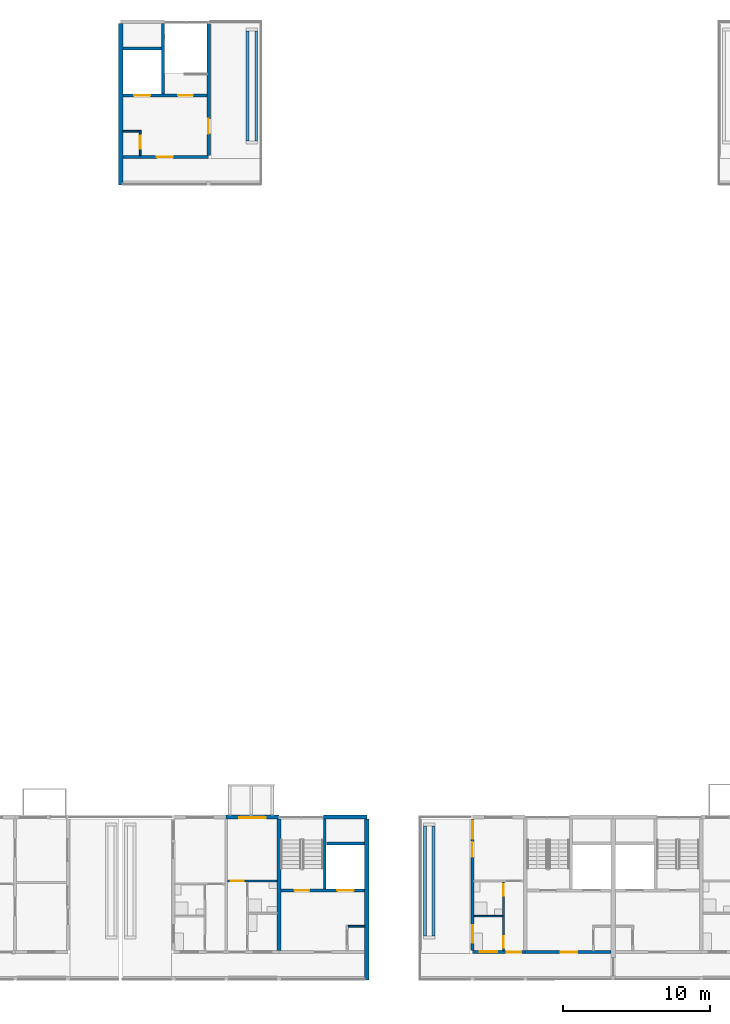
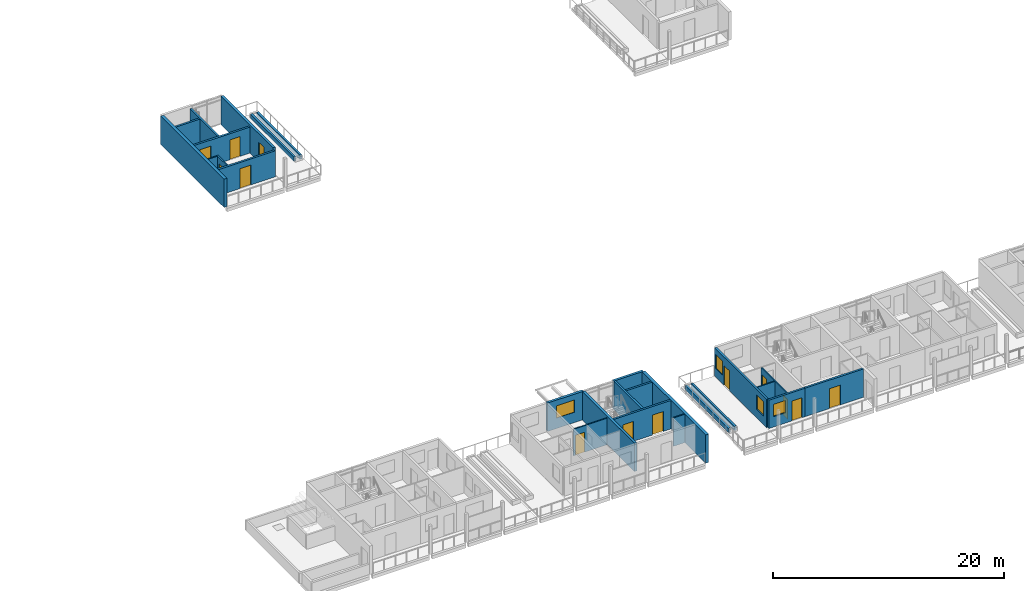
# One storey, part 33 of 55: 26 walls, 13 doors, 4 windows, 17 openings.
"""IFC4 building model written with IfcOpenShell, lengths in metres."""

from ifc_helpers import new_model, si_unit, direction, frame, frame_2d, origin, place, context, subcontext, project, spatial, rectangle, extrude, material, layer, layer_set, type_object, element, fill, save


model = new_model("IFC4")

# Units and contexts
model_context = context("Model", 3, precision=1e-05, world=origin(), true_north=direction((0.0, 1.0)))
body_context = subcontext(model_context, "Body", "Model", "MODEL_VIEW")
ifc_project = project(units=[si_unit("LENGTHUNIT", "METRE"), si_unit("AREAUNIT", "SQUARE_METRE"), si_unit("VOLUMEUNIT", "CUBIC_METRE"), si_unit("PLANEANGLEUNIT", "RADIAN"), si_unit("MASSUNIT", "GRAM", prefix="KILO")], contexts=[model_context])

# Site, building, storey
site_placement = place(None, origin())
site = spatial("IfcSite", under=ifc_project, at=site_placement, CompositionType="ELEMENT")
building_placement = place(site_placement, origin())
building = spatial("IfcBuilding", under=site, at=building_placement, Name="Ridgestep Commons", CompositionType="ELEMENT")
storey_placement = place(building_placement, frame((0.0, 0.0, 36.0)))
storey = spatial("IfcBuildingStorey", under=building, at=storey_placement, Name="L12", CompositionType="ELEMENT", Elevation=36.0)

# Wall
ifc_material_1 = material(Name="Concrete C30/37", Category="concrete")
ifc_layer_1 = layer(ifc_material_1, 0.25)
ifc_layer_set_1 = layer_set([ifc_layer_1], Name="Core cross wall 250")
wall_type_1 = type_object("IfcWallType", Name="Core cross wall 250", PredefinedType="SHEAR", material=ifc_layer_set_1)
wall_1_placement = place(storey_placement, frame((191.199951171875, 13.75, 0.0), z_axis=(0.0, 0.0, 1.0), x_axis=(0.0, 1.0, 0.0)))
element("IfcWall", 1, at=wall_1_placement, inside=storey, type_object=wall_type_1, Name="Cross wall D-12-1912", PredefinedType="SHEAR", context=body_context, shape_type="SweptSolid", body=[
    extrude(rectangle(XDim=9.0, YDim=0.25, at=frame_2d((4.5, 0.0))), origin(), (0.0, 0.0, 1.0), 3.0),
])

# Wall, opening, door
ifc_material_2 = material(Name="Concrete C30/37", Category="concrete")
ifc_layer_2 = layer(ifc_material_2, 0.199951171875)
ifc_layer_set_2 = layer_set([ifc_layer_2], Name="Core south wall 200")
wall_type_2 = type_object("IfcWallType", Name="Core south wall 200", PredefinedType="SHEAR", material=ifc_layer_set_2)
wall_2_placement = place(storey_placement, frame((180.550048828125, 67.89990234375, 0.0), z_axis=(0.0, 0.0, 1.0), x_axis=(1.0, 0.0, 0.0)))
wall_2 = element("IfcWall", 2, at=wall_2_placement, inside=storey, type_object=wall_type_2, Name="Core south wall C3C L12", PredefinedType="SHEAR", context=body_context, shape_type="SweptSolid", body=[
    extrude(rectangle(XDim=5.849853515625, YDim=0.199951171875, at=frame_2d((2.9248046875, 0.0))), origin(), (0.0, 0.0, 1.0), 2.75),
])
opening_1_placement = place(wall_2_placement, frame((2.3125, 0.0, 0.0)))
opening_1 = element("IfcOpeningElement", 3, at=opening_1_placement, cuts=wall_2, Name="Opening C3C/12/1", PredefinedType="OPENING", context=body_context, shape_type="SweptSolid", body=[
    extrude(rectangle(XDim=1.10009765625, YDim=2.10009765625, at=frame_2d((0.550048828125, 1.050048828125))), frame((0.0, 0.10986328125, 0.0), z_axis=(0.0, -1.0, 0.0), x_axis=(1.0, 0.0, 0.0)), (0.0, 0.0, 1.0), 0.219970703125),
])
ifc_material_3 = material(Name="Steel fire door", Category="steel")
door_type_1 = type_object("IfcDoorType", Name="Lobby door 1100 x 2100 FD60", OperationType="NOTDEFINED", PredefinedType="DOOR", material=ifc_material_3)
door_1_placement = place(opening_1_placement, origin())
door_1 = element("IfcDoor", 4, at=door_1_placement, inside=storey, type_object=door_type_1, Name="Lobby door C3C/12/1", OperationType="SINGLE_SWING_LEFT", OverallHeight=2.10009765625, OverallWidth=1.10009765625, PredefinedType="DOOR", context=body_context, shape_type="SweptSolid", body=[
    extrude(rectangle(XDim=1.10009765625, YDim=2.10009765625, at=frame_2d((0.550048828125, 1.050048828125))), frame((0.0, 0.02490234375, 0.0), z_axis=(0.0, -1.0, 0.0), x_axis=(1.0, 0.0, 0.0)), (0.0, 0.0, 1.0), 0.050048828125),
])
fill(opening_1, door_1)

wall_3_placement = place(storey_placement, frame((208.0, 13.64990234375, 0.0), z_axis=(0.0, 0.0, 1.0), x_axis=(1.0, 0.0, 0.0)))
wall_3 = element("IfcWall", 5, at=wall_3_placement, inside=storey, type_object=wall_type_2, Name="Core south wall D4C L12", PredefinedType="SHEAR", context=body_context, shape_type="SweptSolid", body=[
    extrude(rectangle(XDim=5.85009765625, YDim=0.199951171875, at=frame_2d((2.925048828125, 0.0))), origin(), (0.0, 0.0, 1.0), 3.0),
])
opening_2_placement = place(wall_3_placement, frame((2.4375, 0.0, 0.0)))
opening_2 = element("IfcOpeningElement", 6, at=opening_2_placement, cuts=wall_3, Name="Opening D4C/12/1", PredefinedType="OPENING", context=body_context, shape_type="SweptSolid", body=[
    extrude(rectangle(XDim=1.10009765625, YDim=2.10009765625, at=frame_2d((0.550048828125, 1.050048828125))), frame((0.0, 0.10986328125, 0.0), z_axis=(0.0, -1.0, 0.0), x_axis=(1.0, 0.0, 0.0)), (0.0, 0.0, 1.0), 0.219970703125),
])
door_2_placement = place(opening_2_placement, origin())
door_2 = element("IfcDoor", 7, at=door_2_placement, inside=storey, type_object=door_type_1, Name="Lobby door D4C/12/1", OperationType="SINGLE_SWING_LEFT", OverallHeight=2.10009765625, OverallWidth=1.10009765625, PredefinedType="DOOR", context=body_context, shape_type="SweptSolid", body=[
    extrude(rectangle(XDim=1.10009765625, YDim=2.10009765625, at=frame_2d((0.550048828125, 1.050048828125))), frame((0.0, 0.02490234375, 0.0), z_axis=(0.0, -1.0, 0.0), x_axis=(1.0, 0.0, 0.0)), (0.0, 0.0, 1.0), 0.050048828125),
])
fill(opening_2, door_2)

ifc_material_4 = material(Name="Concrete C30/37", Category="concrete")
ifc_layer_3 = layer(ifc_material_4, 0.1201171875)
ifc_layer_set_3 = layer_set([ifc_layer_3], Name="Core wall 120")
wall_type_3 = type_object("IfcWallType", Name="Core wall 120", PredefinedType="SHEAR", material=ifc_layer_set_3)
wall_4_placement = place(storey_placement, frame((181.739990234375, 68.0, 0.0), z_axis=(0.0, 0.0, 1.0), x_axis=(0.0, 1.0, 0.0)))
wall_4 = element("IfcWall", 8, at=wall_4_placement, inside=storey, type_object=wall_type_3, Name="Core riser w wall C3C L12", PredefinedType="SHEAR", context=body_context, shape_type="SweptSolid", body=[
    extrude(rectangle(XDim=1.719970703125, YDim=0.1201171875, at=frame_2d((0.85986328125, 0.0))), origin(), (0.0, 0.0, 1.0), 2.75),
])
opening_3_placement = place(wall_4_placement, frame((0.449951171875, 0.0, 0.0)))
opening_3 = element("IfcOpeningElement", 9, at=opening_3_placement, cuts=wall_4, Name="Opening C3C/12/4", PredefinedType="OPENING", context=body_context, shape_type="SweptSolid", body=[
    extrude(rectangle(XDim=0.89990234375, YDim=2.10009765625, at=frame_2d((0.449951171875, 1.050048828125))), frame((0.0, 0.070068359375, 0.0), z_axis=(0.0, -1.0, 0.0), x_axis=(1.0, 0.0, 0.0)), (0.0, 0.0, 1.0), 0.14013671875),
])
ifc_material_5 = material(Name="Steel fire door", Category="steel")
door_type_2 = type_object("IfcDoorType", Name="Riser door 900 x 2100 FD60", OperationType="NOTDEFINED", PredefinedType="DOOR", material=ifc_material_5)
door_3_placement = place(opening_3_placement, origin())
door_3 = element("IfcDoor", 10, at=door_3_placement, inside=storey, type_object=door_type_2, Name="Riser door C3C/12/4", OperationType="SINGLE_SWING_RIGHT", OverallHeight=2.10009765625, OverallWidth=0.89990234375, PredefinedType="DOOR", context=body_context, shape_type="SweptSolid", body=[
    extrude(rectangle(XDim=0.89990234375, YDim=2.10009765625, at=frame_2d((0.449951171875, 1.050048828125))), frame((0.0, 0.02490234375, 0.0), z_axis=(0.0, -1.0, 0.0), x_axis=(1.0, 0.0, 0.0)), (0.0, 0.0, 1.0), 0.050048828125),
])
fill(opening_3, door_3)

# Walls
wall_5_placement = place(storey_placement, frame((180.550048828125, 69.659912109375, 0.0), z_axis=(0.0, 0.0, 1.0), x_axis=(1.0, 0.0, 0.0)))
element("IfcWall", 11, at=wall_5_placement, inside=storey, type_object=wall_type_3, Name="Core riser n wall C3C L12", PredefinedType="SHEAR", context=body_context, shape_type="SweptSolid", body=[
    extrude(rectangle(XDim=1.1298828125, YDim=0.1201171875, at=frame_2d((0.56494140625, 0.0))), origin(), (0.0, 0.0, 1.0), 2.75),
])
wall_6_placement = place(storey_placement, frame((195.919921875, 15.409912109375, 0.0), z_axis=(0.0, 0.0, 1.0), x_axis=(1.0, 0.0, 0.0)))
element("IfcWall", 12, at=wall_6_placement, inside=storey, type_object=wall_type_3, Name="Core riser n wall D3C L12", PredefinedType="SHEAR", context=body_context, shape_type="SweptSolid", body=[
    extrude(rectangle(XDim=1.130126953125, YDim=0.1201171875, at=frame_2d((0.56494140625, 0.0))), origin(), (0.0, 0.0, 1.0), 3.0),
])

# Wall, openings, doors
ifc_material_6 = material(Name="Concrete C30/37", Category="concrete")
ifc_layer_4 = layer(ifc_material_6, 0.199951171875)
ifc_layer_set_4 = layer_set([ifc_layer_4], Name="Core wall 200")
wall_type_4 = type_object("IfcWallType", Name="Core wall 200", PredefinedType="SHEAR", material=ifc_layer_set_4)
wall_7_placement = place(storey_placement, frame((180.550048828125, 72.10009765625, 0.0), z_axis=(0.0, 0.0, 1.0), x_axis=(1.0, 0.0, 0.0)))
wall_7 = element("IfcWall", 13, at=wall_7_placement, inside=storey, type_object=wall_type_4, Name="Core lobby wall C3C L12", PredefinedType="SHEAR", context=body_context, shape_type="SweptSolid", body=[
    extrude(rectangle(XDim=5.724853515625, YDim=0.199951171875, at=frame_2d((2.8623046875, 0.0))), origin(), (0.0, 0.0, 1.0), 2.75),
])
opening_4_placement = place(wall_7_placement, frame((3.77490234375, 0.0, 0.0)))
opening_4 = element("IfcOpeningElement", 14, at=opening_4_placement, cuts=wall_7, Name="Opening C3C/12/2", PredefinedType="OPENING", context=body_context, shape_type="SweptSolid", body=[
    extrude(rectangle(XDim=1.0, YDim=2.10009765625, at=frame_2d((0.5, 1.050048828125))), frame((0.0, 0.10986328125, 0.0), z_axis=(0.0, -1.0, 0.0), x_axis=(1.0, 0.0, 0.0)), (0.0, 0.0, 1.0), 0.219970703125),
])
opening_5_placement = place(wall_7_placement, frame((0.762451171875, 0.0, 0.0)))
opening_5 = element("IfcOpeningElement", 15, at=opening_5_placement, cuts=wall_7, Name="Opening C3C/12/3", PredefinedType="OPENING", context=body_context, shape_type="SweptSolid", body=[
    extrude(rectangle(XDim=1.10009765625, YDim=2.10009765625, at=frame_2d((0.550048828125, 1.050048828125))), frame((0.0, 0.10986328125, 0.0), z_axis=(0.0, -1.0, 0.0), x_axis=(1.0, 0.0, 0.0)), (0.0, 0.0, 1.0), 0.219970703125),
])
ifc_material_7 = material(Name="Stainless steel", Category="steel")
door_type_3 = type_object("IfcDoorType", Name="Lift landing door 1100 x 2100 FD60", OperationType="DOUBLE_DOOR_SLIDING", PredefinedType="DOOR", material=ifc_material_7)
door_4_placement = place(opening_5_placement, origin())
door_4 = element("IfcDoor", 16, at=door_4_placement, inside=storey, type_object=door_type_3, Name="Landing door LD C3C L12", OperationType="DOUBLE_DOOR_SLIDING", OverallHeight=2.10009765625, OverallWidth=1.10009765625, PredefinedType="DOOR", context=body_context, shape_type="SweptSolid", body=[
    extrude(rectangle(XDim=1.10009765625, YDim=2.10009765625, at=frame_2d((0.550048828125, 1.050048828125))), frame((0.0, 0.02490234375, 0.0), z_axis=(0.0, -1.0, 0.0), x_axis=(1.0, 0.0, 0.0)), (0.0, 0.0, 1.0), 0.050048828125),
])
fill(opening_5, door_4)
ifc_material_8 = material(Name="Steel fire door", Category="steel")
door_type_4 = type_object("IfcDoorType", Name="Stair door 1000 x 2100 FD60", OperationType="NOTDEFINED", PredefinedType="DOOR", material=ifc_material_8)
door_5_placement = place(opening_4_placement, origin())
door_5 = element("IfcDoor", 17, at=door_5_placement, inside=storey, type_object=door_type_4, Name="Stair door C3C/12/2", OperationType="SINGLE_SWING_RIGHT", OverallHeight=2.10009765625, OverallWidth=1.0, PredefinedType="DOOR", context=body_context, shape_type="SweptSolid", body=[
    extrude(rectangle(XDim=1.0, YDim=2.10009765625, at=frame_2d((0.5, 1.050048828125))), frame((0.0, 0.02490234375, 0.0), z_axis=(0.0, -1.0, 0.0), x_axis=(1.0, 0.0, 0.0)), (0.0, 0.0, 1.0), 0.050048828125),
])
fill(opening_4, door_5)

# Walls
wall_8_placement = place(storey_placement, frame((183.27490234375, 72.199951171875, 0.0), z_axis=(0.0, 0.0, 1.0), x_axis=(0.0, 1.0, 0.0)))
element("IfcWall", 18, at=wall_8_placement, inside=storey, type_object=wall_type_4, Name="Core stair wall C3C L12", PredefinedType="SHEAR", context=body_context, shape_type="SweptSolid", body=[
    extrude(rectangle(XDim=4.800048828125, YDim=0.199951171875, at=frame_2d((2.39990234375, 0.0))), origin(), (0.0, 0.0, 1.0), 2.75),
])
wall_9_placement = place(storey_placement, frame((180.550048828125, 75.300048828125, 0.0), z_axis=(0.0, 0.0, 1.0), x_axis=(1.0, 0.0, 0.0)))
element("IfcWall", 19, at=wall_9_placement, inside=storey, type_object=wall_type_4, Name="Core duct wall C3C L12", PredefinedType="SHEAR", context=body_context, shape_type="SweptSolid", body=[
    extrude(rectangle(XDim=2.625, YDim=0.199951171875, at=frame_2d((1.3125, 0.0))), origin(), (0.0, 0.0, 1.0), 2.75),
])

# Wall, openings, doors
wall_10_placement = place(storey_placement, frame((191.324951171875, 17.85009765625, 0.0), z_axis=(0.0, 0.0, 1.0), x_axis=(1.0, 0.0, 0.0)))
wall_10 = element("IfcWall", 20, at=wall_10_placement, inside=storey, type_object=wall_type_4, Name="Core lobby wall D3C L12", PredefinedType="SHEAR", context=body_context, shape_type="SweptSolid", body=[
    extrude(rectangle(XDim=5.72509765625, YDim=0.199951171875, at=frame_2d((2.862548828125, 0.0))), origin(), (0.0, 0.0, 1.0), 3.0),
])
opening_6_placement = place(wall_10_placement, frame((0.949951171875, 0.0, 0.0)))
opening_6 = element("IfcOpeningElement", 21, at=opening_6_placement, cuts=wall_10, Name="Opening D3C/12/2", PredefinedType="OPENING", context=body_context, shape_type="SweptSolid", body=[
    extrude(rectangle(XDim=1.0, YDim=2.10009765625, at=frame_2d((0.5, 1.050048828125))), frame((0.0, 0.10986328125, 0.0), z_axis=(0.0, -1.0, 0.0), x_axis=(1.0, 0.0, 0.0)), (0.0, 0.0, 1.0), 0.219970703125),
])
opening_7_placement = place(wall_10_placement, frame((3.862548828125, 0.0, 0.0)))
opening_7 = element("IfcOpeningElement", 22, at=opening_7_placement, cuts=wall_10, Name="Opening D3C/12/3", PredefinedType="OPENING", context=body_context, shape_type="SweptSolid", body=[
    extrude(rectangle(XDim=1.10009765625, YDim=2.10009765625, at=frame_2d((0.550048828125, 1.050048828125))), frame((0.0, 0.10986328125, 0.0), z_axis=(0.0, -1.0, 0.0), x_axis=(1.0, 0.0, 0.0)), (0.0, 0.0, 1.0), 0.219970703125),
])
door_6_placement = place(opening_7_placement, origin())
door_6 = element("IfcDoor", 23, at=door_6_placement, inside=storey, type_object=door_type_3, Name="Landing door LD D3C L12", OperationType="DOUBLE_DOOR_SLIDING", OverallHeight=2.10009765625, OverallWidth=1.10009765625, PredefinedType="DOOR", context=body_context, shape_type="SweptSolid", body=[
    extrude(rectangle(XDim=1.10009765625, YDim=2.10009765625, at=frame_2d((0.550048828125, 1.050048828125))), frame((0.0, 0.02490234375, 0.0), z_axis=(0.0, -1.0, 0.0), x_axis=(1.0, 0.0, 0.0)), (0.0, 0.0, 1.0), 0.050048828125),
])
fill(opening_7, door_6)
door_7_placement = place(opening_6_placement, origin())
door_7 = element("IfcDoor", 24, at=door_7_placement, inside=storey, type_object=door_type_4, Name="Stair door D3C/12/2", OperationType="SINGLE_SWING_RIGHT", OverallHeight=2.10009765625, OverallWidth=1.0, PredefinedType="DOOR", context=body_context, shape_type="SweptSolid", body=[
    extrude(rectangle(XDim=1.0, YDim=2.10009765625, at=frame_2d((0.5, 1.050048828125))), frame((0.0, 0.02490234375, 0.0), z_axis=(0.0, -1.0, 0.0), x_axis=(1.0, 0.0, 0.0)), (0.0, 0.0, 1.0), 0.050048828125),
])
fill(opening_6, door_7)

# Walls
wall_11_placement = place(storey_placement, frame((194.324951171875, 17.949951171875, 0.0), z_axis=(0.0, 0.0, 1.0), x_axis=(0.0, 1.0, 0.0)))
element("IfcWall", 25, at=wall_11_placement, inside=storey, type_object=wall_type_4, Name="Core stair wall D3C L12", PredefinedType="SHEAR", context=body_context, shape_type="SweptSolid", body=[
    extrude(rectangle(XDim=4.800048828125, YDim=0.199951171875, at=frame_2d((2.39990234375, 0.0))), origin(), (0.0, 0.0, 1.0), 3.0),
])
wall_12_placement = place(storey_placement, frame((194.425048828125, 21.050048828125, 0.0), z_axis=(0.0, 0.0, 1.0), x_axis=(1.0, 0.0, 0.0)))
element("IfcWall", 26, at=wall_12_placement, inside=storey, type_object=wall_type_4, Name="Core duct wall D3C L12", PredefinedType="SHEAR", context=body_context, shape_type="SweptSolid", body=[
    extrude(rectangle(XDim=2.625, YDim=0.199951171875, at=frame_2d((1.3125, 0.0))), origin(), (0.0, 0.0, 1.0), 3.0),
])

# Wall, opening, door
ifc_material_9 = material(Name="Concrete C30/37", Category="concrete")
ifc_layer_5 = layer(ifc_material_9, 0.25)
ifc_layer_set_5 = layer_set([ifc_layer_5], Name="Exposed core cross wall 250")
wall_type_5 = type_object("IfcWallType", Name="Exposed core cross wall 250", PredefinedType="SHEAR", material=ifc_layer_set_5)
wall_13_placement = place(storey_placement, frame((186.39990234375, 68.0, 0.0), z_axis=(0.0, 0.0, 1.0), x_axis=(0.0, 1.0, 0.0)))
wall_13 = element("IfcWall", 27, at=wall_13_placement, inside=storey, type_object=wall_type_5, Name="Cross wall C-12-1864", PredefinedType="SHEAR", context=body_context, shape_type="SweptSolid", body=[
    extrude(rectangle(XDim=9.0, YDim=0.25, at=frame_2d((4.5, 0.0))), origin(), (0.0, 0.0, 1.0), 3.0),
])
opening_8_placement = place(wall_13_placement, frame((1.5, 0.0, 0.0)))
opening_8 = element("IfcOpeningElement", 28, at=opening_8_placement, cuts=wall_13, Name="Opening C3C/12/T", PredefinedType="OPENING", context=body_context, shape_type="SweptSolid", body=[
    extrude(rectangle(XDim=1.0, YDim=2.10009765625, at=frame_2d((0.5, 1.050048828125))), frame((0.0, 0.135009765625, 0.0), z_axis=(0.0, -1.0, 0.0), x_axis=(1.0, 0.0, 0.0)), (0.0, 0.0, 1.0), 0.27001953125),
])
ifc_material_10 = material(Name="Aluminium and glass", Category="aluminium")
door_type_5 = type_object("IfcDoorType", Name="Terrace door 1000 x 2100 FD60", OperationType="NOTDEFINED", PredefinedType="DOOR", material=ifc_material_10)
door_8_placement = place(opening_8_placement, origin())
door_8 = element("IfcDoor", 29, at=door_8_placement, inside=storey, type_object=door_type_5, Name="Terrace door C3C/12/T", OperationType="SINGLE_SWING_RIGHT", OverallHeight=2.10009765625, OverallWidth=1.0, PredefinedType="DOOR", context=body_context, shape_type="SweptSolid", body=[
    extrude(rectangle(XDim=1.0, YDim=2.10009765625, at=frame_2d((0.5, 1.050048828125))), frame((0.0, 0.02490234375, 0.0), z_axis=(0.0, -1.0, 0.0), x_axis=(1.0, 0.0, 0.0)), (0.0, 0.0, 1.0), 0.050048828125),
])
fill(opening_8, door_8)

# Wall, openings, windows, door
ifc_material_11 = material(Name="Precast concrete C40/50", Category="concrete")
ifc_layer_6 = layer(ifc_material_11, 0.199951171875)
ifc_layer_set_6 = layer_set([ifc_layer_6], Name="Exposed cross wall 200")
wall_type_6 = type_object("IfcWallType", Name="Exposed cross wall 200", PredefinedType="SHEAR", material=ifc_layer_set_6)
wall_14_placement = place(storey_placement, frame((204.39990234375, 13.75, 0.0), z_axis=(0.0, 0.0, 1.0), x_axis=(0.0, 1.0, 0.0)))
wall_14 = element("IfcWall", 30, at=wall_14_placement, inside=storey, type_object=wall_type_6, Name="Cross wall D-12-2044", PredefinedType="SHEAR", context=body_context, shape_type="SweptSolid", body=[
    extrude(rectangle(XDim=9.0, YDim=0.199951171875, at=frame_2d((4.5, 0.0))), origin(), (0.0, 0.0, 1.0), 3.0),
])
opening_9_placement = place(wall_14_placement, frame((0.550048828125, 0.0, 0.89990234375)))
opening_9 = element("IfcOpeningElement", 31, at=opening_9_placement, cuts=wall_14, Name="Opening W10", PredefinedType="OPENING", context=body_context, shape_type="SweptSolid", body=[
    extrude(rectangle(XDim=1.199951171875, YDim=1.5, at=frame_2d((0.60009765625, 0.75))), frame((0.0, 0.10986328125, 0.0), z_axis=(0.0, -1.0, 0.0), x_axis=(1.0, 0.0, 0.0)), (0.0, 0.0, 1.0), 0.219970703125),
])
opening_10_placement = place(wall_14_placement, frame((7.652587890625, 0.0, 0.89990234375)))
opening_10 = element("IfcOpeningElement", 32, at=opening_10_placement, cuts=wall_14, Name="Opening W10", PredefinedType="OPENING", context=body_context, shape_type="SweptSolid", body=[
    extrude(rectangle(XDim=1.199951171875, YDim=1.5, at=frame_2d((0.60009765625, 0.75))), frame((0.0, 0.10986328125, 0.0), z_axis=(0.0, -1.0, 0.0), x_axis=(1.0, 0.0, 0.0)), (0.0, 0.0, 1.0), 0.219970703125),
])
opening_11_placement = place(wall_14_placement, frame((6.405029296875, 0.0, 0.0)))
opening_11 = element("IfcOpeningElement", 33, at=opening_11_placement, cuts=wall_14, Name="Opening D4-12a/5", PredefinedType="OPENING", context=body_context, shape_type="SweptSolid", body=[
    extrude(rectangle(XDim=1.0, YDim=2.10009765625, at=frame_2d((0.5, 1.050048828125))), frame((0.0, 0.10986328125, 0.0), z_axis=(0.0, -1.0, 0.0), x_axis=(1.0, 0.0, 0.0)), (0.0, 0.0, 1.0), 0.219970703125),
])
ifc_material_12 = material(Name="Aluminium 6063-T6 and glass", Category="aluminium")
window_type_1 = type_object("IfcWindowType", Name="Flat window 1200 x 1500", PartitioningType="SINGLE_PANEL", PredefinedType="WINDOW", material=ifc_material_12)
window_1_placement = place(opening_9_placement, origin())
window_1 = element("IfcWindow", 34, at=window_1_placement, inside=storey, type_object=window_type_1, Name="Window D4-12a 3", OverallHeight=1.5, OverallWidth=1.199951171875, PartitioningType="SINGLE_PANEL", PredefinedType="WINDOW", context=body_context, shape_type="SweptSolid", body=[
    extrude(rectangle(XDim=1.199951171875, YDim=1.5, at=frame_2d((0.60009765625, 0.75))), frame((0.0, 0.0, 0.0), z_axis=(0.0, -1.0, 0.0), x_axis=(1.0, 0.0, 0.0)), (0.0, 0.0, 1.0), 0.06005859375),
])
fill(opening_9, window_1)
window_2_placement = place(opening_10_placement, origin())
window_2 = element("IfcWindow", 35, at=window_2_placement, inside=storey, type_object=window_type_1, Name="Window D4-12a 4", OverallHeight=1.5, OverallWidth=1.199951171875, PartitioningType="SINGLE_PANEL", PredefinedType="WINDOW", context=body_context, shape_type="SweptSolid", body=[
    extrude(rectangle(XDim=1.199951171875, YDim=1.5, at=frame_2d((0.60009765625, 0.75))), frame((0.0, 0.0, 0.0), z_axis=(0.0, -1.0, 0.0), x_axis=(1.0, 0.0, 0.0)), (0.0, 0.0, 1.0), 0.06005859375),
])
fill(opening_10, window_2)
ifc_material_13 = material(Name="Aluminium and glass", Category="aluminium")
door_type_6 = type_object("IfcDoorType", Name="Terrace door 1000 x 2100", OperationType="NOTDEFINED", PredefinedType="DOOR", material=ifc_material_13)
door_9_placement = place(opening_11_placement, origin())
door_9 = element("IfcDoor", 36, at=door_9_placement, inside=storey, type_object=door_type_6, Name="Terrace door D4-12a/5", OperationType="SINGLE_SWING_RIGHT", OverallHeight=2.10009765625, OverallWidth=1.0, PredefinedType="DOOR", context=body_context, shape_type="SweptSolid", body=[
    extrude(rectangle(XDim=1.0, YDim=2.10009765625, at=frame_2d((0.5, 1.050048828125))), frame((0.0, 0.02490234375, 0.0), z_axis=(0.0, -1.0, 0.0), x_axis=(1.0, 0.0, 0.0)), (0.0, 0.0, 1.0), 0.050048828125),
])
fill(opening_11, door_9)

# Walls
ifc_material_14 = material(Name="Precast concrete C40/50", Category="concrete")
ifc_layer_7 = layer(ifc_material_14, 0.300048828125)
ifc_layer_set_7 = layer_set([ifc_layer_7], Name="Exposed division wall 300")
wall_type_7 = type_object("IfcWallType", Name="Exposed division wall 300", PredefinedType="SHEAR", material=ifc_layer_set_7)
for number, where, z_axis, x_axis, name in (
    (37, (180.39990234375, 66.0, 0.0), (0.0, 0.0, 1.0), (0.0, 1.0, 0.0), "Cross wall C-12-1804"),
    (38, (197.199951171875, 11.75, 0.0), (0.0, 0.0, 1.0), (0.0, 1.0, 0.0), "Cross wall D-12-1972"),
):
    element("IfcWall", number, at=place(storey_placement, frame(where, z_axis=z_axis, x_axis=x_axis)), inside=storey, type_object=wall_type_7, Name=name, PredefinedType="SHEAR", context=body_context, shape_type="SweptSolid", body=[
        extrude(rectangle(XDim=11.0, YDim=0.300048828125, at=frame_2d((5.5, 0.0))), origin(), (0.0, 0.0, 1.0), 3.0),
    ])

# Wall, opening, window
ifc_material_15 = material(Name="Precast concrete C40/50", Category="concrete")
ifc_layer_8 = layer(ifc_material_15, 0.25)
ifc_layer_set_8 = layer_set([ifc_layer_8], Name="North facade panel 250")
wall_type_8 = type_object("IfcWallType", Name="North facade panel 250", PredefinedType="SOLIDWALL", material=ifc_layer_set_8)
wall_15_placement = place(storey_placement, frame((187.60009765625, 22.875, 0.0), z_axis=(0.0, 0.0, 1.0), x_axis=(1.0, 0.0, 0.0)))
wall_15 = element("IfcWall", 39, at=wall_15_placement, inside=storey, type_object=wall_type_8, Name="North panel D3T3 L12", PredefinedType="SOLIDWALL", context=body_context, shape_type="SweptSolid", body=[
    extrude(rectangle(XDim=3.599853515625, YDim=0.25, at=frame_2d((1.7998046875, 0.0))), origin(), (0.0, 0.0, 1.0), 3.0),
])
opening_12_placement = place(wall_15_placement, frame((0.887451171875, 0.0, 1.10009765625)))
opening_12 = element("IfcOpeningElement", 40, at=opening_12_placement, cuts=wall_15, Name="Opening W18", PredefinedType="OPENING", context=body_context, shape_type="SweptSolid", body=[
    extrude(rectangle(XDim=1.800048828125, YDim=1.300048828125, at=frame_2d((0.89990234375, 0.64990234375))), frame((0.0, 0.135009765625, 0.0), z_axis=(0.0, -1.0, 0.0), x_axis=(1.0, 0.0, 0.0)), (0.0, 0.0, 1.0), 0.27001953125),
])
ifc_material_16 = material(Name="Aluminium 6063-T6 and glass", Category="aluminium")
window_type_2 = type_object("IfcWindowType", Name="Flat window 1800 x 1300", PartitioningType="DOUBLE_PANEL_VERTICAL", PredefinedType="WINDOW", material=ifc_material_16)
window_3_placement = place(opening_12_placement, origin())
window_3 = element("IfcWindow", 41, at=window_3_placement, inside=storey, type_object=window_type_2, Name="Window D3-12b 2", OverallHeight=1.300048828125, OverallWidth=1.800048828125, PartitioningType="SINGLE_PANEL", PredefinedType="WINDOW", context=body_context, shape_type="SweptSolid", body=[
    extrude(rectangle(XDim=1.800048828125, YDim=1.300048828125, at=frame_2d((0.89990234375, 0.64990234375))), frame((0.0, -0.02490234375, 0.0), z_axis=(0.0, -1.0, 0.0), x_axis=(1.0, 0.0, 0.0)), (0.0, 0.0, 1.0), 0.06005859375),
])
fill(opening_12, window_3)

# Wall
wall_16_placement = place(storey_placement, frame((194.22509765625, 22.875, 0.0), z_axis=(0.0, 0.0, 1.0), x_axis=(1.0, 0.0, 0.0)))
element("IfcWall", 42, at=wall_16_placement, inside=storey, type_object=wall_type_8, Name="North panel D3C L12", PredefinedType="SOLIDWALL", context=body_context, shape_type="SweptSolid", body=[
    extrude(rectangle(XDim=2.974853515625, YDim=0.25, at=frame_2d((1.4873046875, 0.0))), origin(), (0.0, 0.0, 1.0), 3.0),
])

# Wall, opening, door
ifc_material_17 = material(Name="Common brick 110 mm", Category="masonry")
ifc_layer_9 = layer(ifc_material_17, 0.110107421875)
ifc_layer_set_9 = layer_set([ifc_layer_9], Name="Partition 110")
wall_type_9 = type_object("IfcWallType", Name="Partition 110", PredefinedType="PARTITIONING", material=ifc_layer_set_9)
wall_17_placement = place(storey_placement, frame((187.699951171875, 18.5048828125, 0.0), z_axis=(0.0, 0.0, 1.0), x_axis=(1.0, 0.0, 0.0)))
wall_17 = element("IfcWall", 43, at=wall_17_placement, inside=storey, type_object=wall_type_9, Name="Partition D3-12b", PredefinedType="PARTITIONING", context=body_context, shape_type="SweptSolid", body=[
    extrude(rectangle(XDim=3.375, YDim=0.110107421875, at=frame_2d((1.6875, 0.0))), origin(), (0.0, 0.0, 1.0), 2.800048828125),
])
opening_13_placement = place(wall_17_placement, frame((0.199951171875, 0.0, 0.0)))
opening_13 = element("IfcOpeningElement", 44, at=opening_13_placement, cuts=wall_17, Name="Opening D3-12b/4", PredefinedType="OPENING", context=body_context, shape_type="SweptSolid", body=[
    extrude(rectangle(XDim=0.89990234375, YDim=2.10009765625, at=frame_2d((0.449951171875, 1.050048828125))), frame((0.0, 0.06494140625, 0.0), z_axis=(0.0, -1.0, 0.0), x_axis=(1.0, 0.0, 0.0)), (0.0, 0.0, 1.0), 0.130126953125),
])
ifc_material_18 = material(Name="Timber door leaf", Category="wood")
door_type_7 = type_object("IfcDoorType", Name="Internal door 900 x 2100", OperationType="NOTDEFINED", PredefinedType="DOOR", material=ifc_material_18)
door_10_placement = place(opening_13_placement, origin())
door_10 = element("IfcDoor", 45, at=door_10_placement, inside=storey, type_object=door_type_7, Name="Internal door D3-12b/4", OperationType="SINGLE_SWING_LEFT", OverallHeight=2.10009765625, OverallWidth=0.89990234375, PredefinedType="DOOR", context=body_context, shape_type="SweptSolid", body=[
    extrude(rectangle(XDim=0.89990234375, YDim=2.10009765625, at=frame_2d((0.449951171875, 1.050048828125))), frame((0.0, 0.02490234375, 0.0), z_axis=(0.0, -1.0, 0.0), x_axis=(1.0, 0.0, 0.0)), (0.0, 0.0, 1.0), 0.050048828125),
])
fill(opening_13, door_10)

# Wall
wall_18_placement = place(storey_placement, frame((204.5, 16.10498046875, 0.0), z_axis=(0.0, 0.0, 1.0), x_axis=(1.0, 0.0, 0.0)))
element("IfcWall", 46, at=wall_18_placement, inside=storey, type_object=wall_type_9, Name="Partition D4-12a", PredefinedType="PARTITIONING", context=body_context, shape_type="SweptSolid", body=[
    extrude(rectangle(XDim=1.965087890625, YDim=0.110107421875, at=frame_2d((0.982421875, 0.0))), origin(), (0.0, 0.0, 1.0), 2.75),
])

# Wall, openings, doors
wall_19_placement = place(storey_placement, frame((206.52001953125, 13.75, 0.0), z_axis=(0.0, 0.0, 1.0), x_axis=(0.0, 1.0, 0.0)))
wall_19 = element("IfcWall", 47, at=wall_19_placement, inside=storey, type_object=wall_type_9, Name="Partition D4-12a", PredefinedType="PARTITIONING", context=body_context, shape_type="SweptSolid", body=[
    extrude(rectangle(XDim=4.699951171875, YDim=0.110107421875, at=frame_2d((2.35009765625, 0.0))), origin(), (0.0, 0.0, 1.0), 2.75),
])
opening_14_placement = place(wall_19_placement, frame((0.199951171875, 0.0, 0.0)))
opening_14 = element("IfcOpeningElement", 48, at=opening_14_placement, cuts=wall_19, Name="Opening D4-12a/2", PredefinedType="OPENING", context=body_context, shape_type="SweptSolid", body=[
    extrude(rectangle(XDim=0.800048828125, YDim=2.10009765625, at=frame_2d((0.39990234375, 1.050048828125))), frame((0.0, 0.06494140625, 0.0), z_axis=(0.0, -1.0, 0.0), x_axis=(1.0, 0.0, 0.0)), (0.0, 0.0, 1.0), 0.130126953125),
])
opening_15_placement = place(wall_19_placement, frame((3.75, 0.0, 0.0)))
opening_15 = element("IfcOpeningElement", 49, at=opening_15_placement, cuts=wall_19, Name="Opening D4-12a/3", PredefinedType="OPENING", context=body_context, shape_type="SweptSolid", body=[
    extrude(rectangle(XDim=0.800048828125, YDim=2.10009765625, at=frame_2d((0.39990234375, 1.050048828125))), frame((0.0, 0.06494140625, 0.0), z_axis=(0.0, -1.0, 0.0), x_axis=(1.0, 0.0, 0.0)), (0.0, 0.0, 1.0), 0.130126953125),
])
ifc_material_19 = material(Name="Timber door leaf", Category="wood")
door_type_8 = type_object("IfcDoorType", Name="Internal door 800 x 2100", OperationType="NOTDEFINED", PredefinedType="DOOR", material=ifc_material_19)
door_11_placement = place(opening_14_placement, origin())
door_11 = element("IfcDoor", 50, at=door_11_placement, inside=storey, type_object=door_type_8, Name="Internal door D4-12a/2", OperationType="SINGLE_SWING_LEFT", OverallHeight=2.10009765625, OverallWidth=0.800048828125, PredefinedType="DOOR", context=body_context, shape_type="SweptSolid", body=[
    extrude(rectangle(XDim=0.800048828125, YDim=2.10009765625, at=frame_2d((0.39990234375, 1.050048828125))), frame((0.0, 0.02490234375, 0.0), z_axis=(0.0, -1.0, 0.0), x_axis=(1.0, 0.0, 0.0)), (0.0, 0.0, 1.0), 0.050048828125),
])
fill(opening_14, door_11)
door_12_placement = place(opening_15_placement, origin())
door_12 = element("IfcDoor", 51, at=door_12_placement, inside=storey, type_object=door_type_8, Name="Internal door D4-12a/3", OperationType="SINGLE_SWING_RIGHT", OverallHeight=2.10009765625, OverallWidth=0.800048828125, PredefinedType="DOOR", context=body_context, shape_type="SweptSolid", body=[
    extrude(rectangle(XDim=0.800048828125, YDim=2.10009765625, at=frame_2d((0.39990234375, 1.050048828125))), frame((0.0, 0.02490234375, 0.0), z_axis=(0.0, -1.0, 0.0), x_axis=(1.0, 0.0, 0.0)), (0.0, 0.0, 1.0), 0.050048828125),
])
fill(opening_15, door_12)

# Walls
ifc_material_20 = material(Name="Facing brick", Category="masonry")
ifc_layer_10 = layer(ifc_material_20, 0.199951171875)
ifc_layer_set_10 = layer_set([ifc_layer_10], Name="Planter wall 200")
wall_type_10 = type_object("IfcWallType", Name="Planter wall 200", PredefinedType="SOLIDWALL", material=ifc_layer_set_10)
for number, where, z_axis, x_axis, name in (
    (52, (201.14990234375, 14.75, 0.010009765625), (0.0, 0.0, 1.0), (0.0, 1.0, 0.0), "Planter wall D4R2W"),
    (53, (201.75, 14.75, 0.010009765625), (0.0, 0.0, 1.0), (0.0, 1.0, 0.0), "Planter wall D4R2E"),
    (54, (189.050048828125, 69.0, 0.010009765625), (0.0, 0.0, 1.0), (0.0, 1.0, 0.0), "Planter wall C3R3W"),
    (55, (189.64990234375, 69.0, 0.010009765625), (0.0, 0.0, 1.0), (0.0, 1.0, 0.0), "Planter wall C3R3E"),
):
    element("IfcWall", number, at=place(storey_placement, frame(where, z_axis=z_axis, x_axis=x_axis)), inside=storey, type_object=wall_type_10, Name=name, PredefinedType="SOLIDWALL", context=body_context, shape_type="SweptSolid", body=[
        extrude(rectangle(XDim=7.5, YDim=0.199951171875, at=frame_2d((3.75, 0.0))), origin(), (0.0, 0.0, 1.0), 0.449951171875),
    ])

# Wall, openings, door, window
ifc_material_21 = material(Name="Precast concrete C40/50", Category="concrete")
ifc_layer_11 = layer(ifc_material_21, 0.199951171875)
ifc_layer_set_11 = layer_set([ifc_layer_11], Name="South facade panel 200")
wall_type_11 = type_object("IfcWallType", Name="South facade panel 200", PredefinedType="SOLIDWALL", material=ifc_layer_set_11)
wall_20_placement = place(storey_placement, frame((204.39990234375, 13.64990234375, 0.0), z_axis=(0.0, 0.0, 1.0), x_axis=(1.0, 0.0, 0.0)))
wall_20 = element("IfcWall", 56, at=wall_20_placement, inside=storey, type_object=wall_type_11, Name="South panel D4T3 L12", PredefinedType="SOLIDWALL", context=body_context, shape_type="SweptSolid", body=[
    extrude(rectangle(XDim=3.60009765625, YDim=0.199951171875, at=frame_2d((1.800048828125, 0.0))), origin(), (0.0, 0.0, 1.0), 3.0),
])
opening_16_placement = place(wall_20_placement, frame((0.482421875, 0.0, 1.10009765625)))
opening_16 = element("IfcOpeningElement", 57, at=opening_16_placement, cuts=wall_20, Name="Opening W08", PredefinedType="OPENING", context=body_context, shape_type="SweptSolid", body=[
    extrude(rectangle(XDim=1.199951171875, YDim=1.300048828125, at=frame_2d((0.60009765625, 0.64990234375))), frame((0.0, 0.10986328125, 0.0), z_axis=(0.0, -1.0, 0.0), x_axis=(1.0, 0.0, 0.0)), (0.0, 0.0, 1.0), 0.219970703125),
])
opening_17_placement = place(wall_20_placement, frame((2.324951171875, 0.0, 0.0)))
opening_17 = element("IfcOpeningElement", 58, at=opening_17_placement, cuts=wall_20, Name="Opening D4-12a/1", PredefinedType="OPENING", context=body_context, shape_type="SweptSolid", body=[
    extrude(rectangle(XDim=1.0, YDim=2.10009765625, at=frame_2d((0.5, 1.050048828125))), frame((0.0, 0.10986328125, 0.0), z_axis=(0.0, -1.0, 0.0), x_axis=(1.0, 0.0, 0.0)), (0.0, 0.0, 1.0), 0.219970703125),
])
ifc_material_22 = material(Name="Timber door leaf", Category="wood")
door_type_9 = type_object("IfcDoorType", Name="Flat entrance door 1000 x 2100 FD30S", OperationType="NOTDEFINED", PredefinedType="DOOR", material=ifc_material_22)
door_13_placement = place(opening_17_placement, origin())
door_13 = element("IfcDoor", 59, at=door_13_placement, inside=storey, type_object=door_type_9, Name="Flat entrance door D4-12a/1", OperationType="SINGLE_SWING_RIGHT", OverallHeight=2.10009765625, OverallWidth=1.0, PredefinedType="DOOR", context=body_context, shape_type="SweptSolid", body=[
    extrude(rectangle(XDim=1.0, YDim=2.10009765625, at=frame_2d((0.5, 1.050048828125))), frame((0.0, 0.02490234375, 0.0), z_axis=(0.0, -1.0, 0.0), x_axis=(1.0, 0.0, 0.0)), (0.0, 0.0, 1.0), 0.050048828125),
])
fill(opening_17, door_13)
ifc_material_23 = material(Name="Aluminium 6063-T6 and glass", Category="aluminium")
window_type_3 = type_object("IfcWindowType", Name="Flat window 1200 x 1300", PartitioningType="SINGLE_PANEL", PredefinedType="WINDOW", material=ifc_material_23)
window_4_placement = place(opening_16_placement, origin())
window_4 = element("IfcWindow", 60, at=window_4_placement, inside=storey, type_object=window_type_3, Name="Window D4-12a 1", OverallHeight=1.300048828125, OverallWidth=1.199951171875, PartitioningType="SINGLE_PANEL", PredefinedType="WINDOW", context=body_context, shape_type="SweptSolid", body=[
    extrude(rectangle(XDim=1.199951171875, YDim=1.300048828125, at=frame_2d((0.60009765625, 0.64990234375))), frame((0.0, 0.06005859375, 0.0), z_axis=(0.0, -1.0, 0.0), x_axis=(1.0, 0.0, 0.0)), (0.0, 0.0, 1.0), 0.06005859375),
])
fill(opening_16, window_4)

save(model, "model.ifc")
